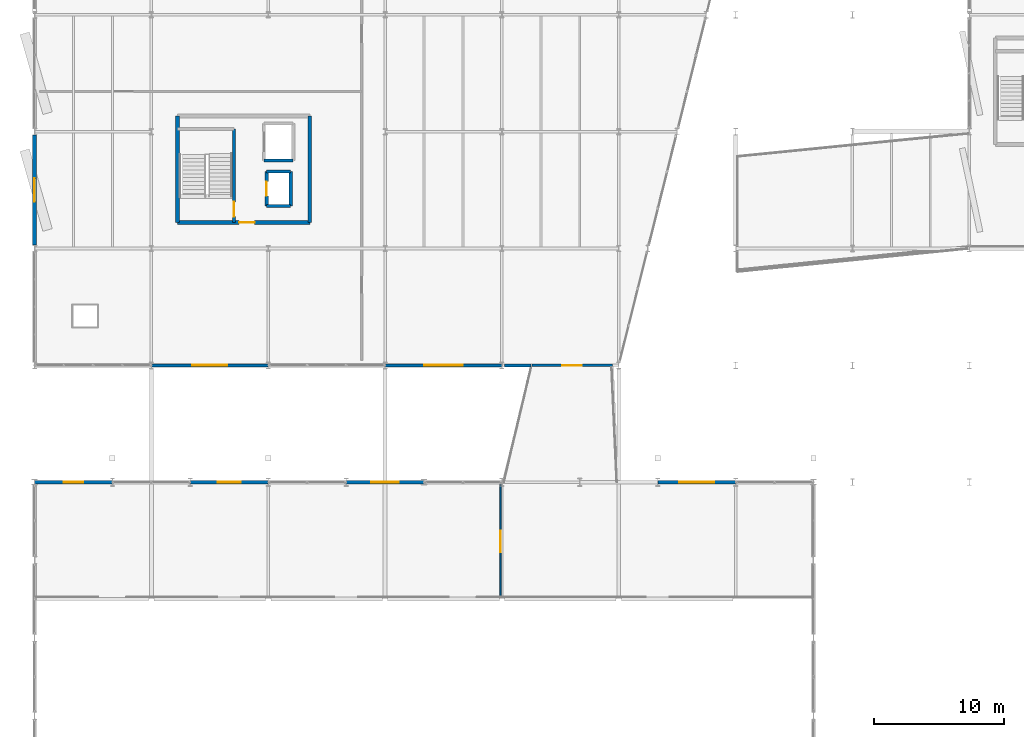
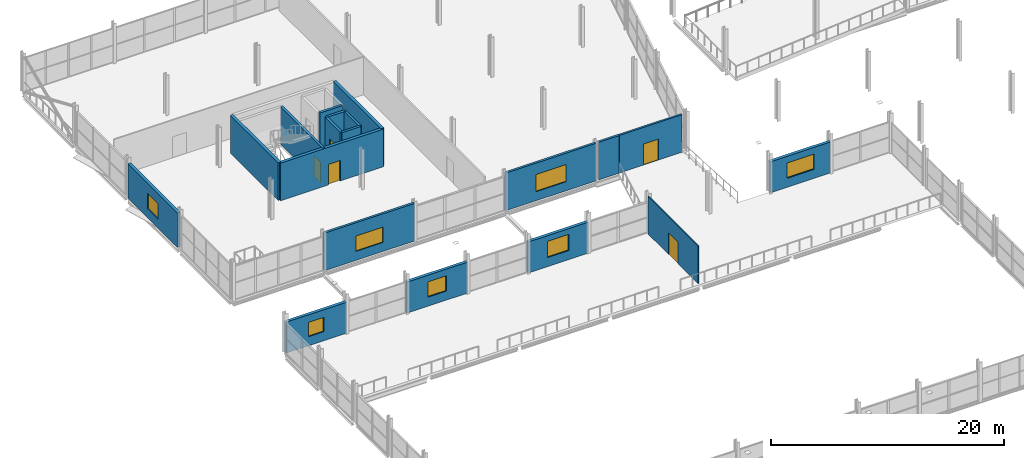
# One storey, part 112 of 135: 19 walls, 7 windows, 5 doors, 12 openings.
"""IFC4 building model written with IfcOpenShell, lengths in metres."""

from ifc_helpers import new_model, si_unit, direction, frame, frame_2d, origin, place, context, subcontext, project, spatial, rectangle, extrude, material, layer, layer_set, type_object, element, fill, save


model = new_model("IFC4")

# Units and contexts
model_context = context("Model", 3, precision=1e-05, world=origin(), true_north=direction((0.0, 1.0)))
body_context = subcontext(model_context, "Body", "Model", "MODEL_VIEW")
ifc_project = project(units=[si_unit("LENGTHUNIT", "METRE"), si_unit("AREAUNIT", "SQUARE_METRE"), si_unit("VOLUMEUNIT", "CUBIC_METRE"), si_unit("PLANEANGLEUNIT", "RADIAN"), si_unit("MASSUNIT", "GRAM", prefix="KILO")], contexts=[model_context])

# Site, building, storey
site_placement = place(None, origin())
site = spatial("IfcSite", under=ifc_project, at=site_placement, CompositionType="ELEMENT")
building_placement = place(site_placement, origin())
building = spatial("IfcBuilding", under=site, at=building_placement, Name="Deido Ridge Mobility Hub", CompositionType="ELEMENT")
storey_placement = place(building_placement, frame((0.0, 0.0, 4.199951171875)))
storey = spatial("IfcBuildingStorey", under=building, at=storey_placement, Name="L01", CompositionType="ELEMENT", Elevation=4.199951171875)

# Wall, opening, window
ifc_material_1 = material(Name="Powder-coated aluminium cladding EN AW-3003", Category="aluminium")
ifc_layer_1 = layer(ifc_material_1, 0.22509765625, Name="Powder-coated aluminium cladding EN AW-3003")
ifc_layer_set_1 = layer_set([ifc_layer_1], Name="Powder-coated aluminium cladding EN AW-3003")
wall_type_1 = type_object("IfcWallType", Name="WL-EXT-ALU-225", PredefinedType="STANDARD", material=ifc_layer_set_1)
wall_1_placement = place(storey_placement, frame((9.00732421875, 45.0, 0.0), z_axis=(0.0, 0.0, 1.0), x_axis=(1.0, 0.0, 0.0)))
wall_1 = element("IfcWall", 1, at=wall_1_placement, inside=storey, type_object=wall_type_1, Name="Exterior wall EW6", PredefinedType="STANDARD", context=body_context, shape_type="SweptSolid", body=[
    extrude(rectangle(XDim=8.985595703125, YDim=0.22509765625, at=frame_2d((4.49267578125, 0.0))), origin(), (0.0, 0.0, 1.0), 3.945068359375),
])
opening_1_placement = place(wall_1_placement, frame((3.142578125, 0.0, 0.949951171875)))
opening_1 = element("IfcOpeningElement", 2, at=opening_1_placement, cuts=wall_1, Name="Opening W13", PredefinedType="OPENING", context=body_context, shape_type="SweptSolid", body=[
    extrude(rectangle(XDim=2.699951171875, YDim=1.60009765625, at=frame_2d((1.35009765625, 0.800048828125))), frame((0.0, 0.12255859375, 0.0), z_axis=(0.0, -1.0, 0.0), x_axis=(1.0, 0.0, 0.0)), (0.0, 0.0, 1.0), 0.2451171875),
])
ifc_material_2 = material(Name="Laminated solar-control low-E glass", Category="glass")
window_type_1 = type_object("IfcWindowType", Name="WN-ALU-2700X1600", PartitioningType="DOUBLE_PANEL_VERTICAL", PredefinedType="WINDOW", material=ifc_material_2)
window_1_placement = place(opening_1_placement, origin())
window_1 = element("IfcWindow", 3, at=window_1_placement, inside=storey, type_object=window_type_1, Name="Exterior window W13", OverallHeight=1.60009765625, OverallWidth=2.699951171875, PartitioningType="SINGLE_PANEL", PredefinedType="WINDOW", context=body_context, shape_type="SweptSolid", body=[
    extrude(rectangle(XDim=2.699951171875, YDim=1.60009765625, at=frame_2d((1.35009765625, 0.800048828125))), frame((0.0, 0.030029296875, 0.0), z_axis=(0.0, -1.0, 0.0), x_axis=(1.0, 0.0, 0.0)), (0.0, 0.0, 1.0), 0.06005859375),
])
fill(opening_1, window_1)

wall_2_placement = place(storey_placement, frame((27.007080078125, 45.0, 0.0), z_axis=(0.0, 0.0, 1.0), x_axis=(1.0, 0.0, 0.0)))
wall_2 = element("IfcWall", 4, at=wall_2_placement, inside=storey, type_object=wall_type_1, Name="Exterior wall EW6", PredefinedType="STANDARD", context=body_context, shape_type="SweptSolid", body=[
    extrude(rectangle(XDim=8.98583984375, YDim=0.22509765625, at=frame_2d((4.492919921875, 0.0))), origin(), (0.0, 0.0, 1.0), 3.945068359375),
])
opening_2_placement = place(wall_2_placement, frame((2.992919921875, 0.0, 0.949951171875)))
opening_2 = element("IfcOpeningElement", 5, at=opening_2_placement, cuts=wall_2, Name="Opening W15", PredefinedType="OPENING", context=body_context, shape_type="SweptSolid", body=[
    extrude(rectangle(XDim=3.0, YDim=1.800048828125, at=frame_2d((1.5, 0.89990234375))), frame((0.0, 0.12255859375, 0.0), z_axis=(0.0, -1.0, 0.0), x_axis=(1.0, 0.0, 0.0)), (0.0, 0.0, 1.0), 0.2451171875),
])
window_type_2 = type_object("IfcWindowType", Name="WN-ALU-3000X1800", PartitioningType="DOUBLE_PANEL_VERTICAL", PredefinedType="WINDOW", material=ifc_material_2)
window_2_placement = place(opening_2_placement, origin())
window_2 = element("IfcWindow", 6, at=window_2_placement, inside=storey, type_object=window_type_2, Name="Exterior window W15", OverallHeight=1.800048828125, OverallWidth=3.0, PartitioningType="SINGLE_PANEL", PredefinedType="WINDOW", context=body_context, shape_type="SweptSolid", body=[
    extrude(rectangle(XDim=3.0, YDim=1.800048828125, at=frame_2d((1.5, 0.89990234375))), frame((0.0, 0.030029296875, 0.0), z_axis=(0.0, -1.0, 0.0), x_axis=(1.0, 0.0, 0.0)), (0.0, 0.0, 1.0), 0.06005859375),
])
fill(opening_2, window_2)

# Wall
wall_3_placement = place(storey_placement, frame((36.199951171875, 45.0, 0.0), z_axis=(0.0, 0.0, 1.0), x_axis=(1.0, 0.0, 0.0)))
element("IfcWall", 7, at=wall_3_placement, inside=storey, type_object=wall_type_1, Name="Cafe bridge west cheek wall", PredefinedType="STANDARD", context=body_context, shape_type="SweptSolid", body=[
    extrude(rectangle(XDim=2.050048828125, YDim=0.22509765625, at=frame_2d((1.02490234375, 0.0))), origin(), (0.0, 0.0, 1.0), 3.945068359375),
])

# Wall, opening, window
ifc_material_3 = material(Name="Fired clay brick masonry", Category="masonry")
ifc_layer_2 = layer(ifc_material_3, 0.294921875, Name="Fired clay brick masonry")
ifc_layer_set_2 = layer_set([ifc_layer_2], Name="Fired clay brick masonry")
wall_type_2 = type_object("IfcWallType", Name="WL-EXT-BRK-295", PredefinedType="STANDARD", material=ifc_layer_set_2)
wall_4_placement = place(storey_placement, frame((0.011962890625, 36.0, 0.0), z_axis=(0.0, 0.0, 1.0), x_axis=(1.0, 0.0, 0.0)))
wall_4 = element("IfcWall", 8, at=wall_4_placement, inside=storey, type_object=wall_type_2, Name="Exterior wall EW2", PredefinedType="STANDARD", context=body_context, shape_type="SweptSolid", body=[
    extrude(rectangle(XDim=5.980224609375, YDim=0.294921875, at=frame_2d((2.990234375, 0.0))), origin(), (0.0, 0.0, 1.0), 3.25),
])
opening_3_placement = place(wall_4_placement, frame((2.240234375, 0.0, 0.949951171875)))
opening_3 = element("IfcOpeningElement", 9, at=opening_3_placement, cuts=wall_4, Name="Opening W5", PredefinedType="OPENING", context=body_context, shape_type="SweptSolid", body=[
    extrude(rectangle(XDim=1.5, YDim=1.5, at=frame_2d((0.75, 0.75))), frame((0.0, 0.157470703125, 0.0), z_axis=(0.0, -1.0, 0.0), x_axis=(1.0, 0.0, 0.0)), (0.0, 0.0, 1.0), 0.31494140625),
])
window_type_3 = type_object("IfcWindowType", Name="WN-ALU-1500X1500", PartitioningType="SINGLE_PANEL", PredefinedType="WINDOW", material=ifc_material_2)
window_3_placement = place(opening_3_placement, origin())
window_3 = element("IfcWindow", 10, at=window_3_placement, inside=storey, type_object=window_type_3, Name="Exterior window W5", OverallHeight=1.5, OverallWidth=1.5, PartitioningType="SINGLE_PANEL", PredefinedType="WINDOW", context=body_context, shape_type="SweptSolid", body=[
    extrude(rectangle(XDim=1.5, YDim=1.5, at=frame_2d((0.75, 0.75))), frame((0.0, 0.030029296875, 0.0), z_axis=(0.0, -1.0, 0.0), x_axis=(1.0, 0.0, 0.0)), (0.0, 0.0, 1.0), 0.06005859375),
])
fill(opening_3, window_3)

wall_5_placement = place(storey_placement, frame((12.0078125, 36.0, 0.0), z_axis=(0.0, 0.0, 1.0), x_axis=(1.0, 0.0, 0.0)))
wall_5 = element("IfcWall", 11, at=wall_5_placement, inside=storey, type_object=wall_type_2, Name="Exterior wall EW2", PredefinedType="STANDARD", context=body_context, shape_type="SweptSolid", body=[
    extrude(rectangle(XDim=5.984375, YDim=0.294921875, at=frame_2d((2.9921875, 0.0))), origin(), (0.0, 0.0, 1.0), 3.25),
])
opening_4_placement = place(wall_5_placement, frame((2.09228515625, 0.0, 0.949951171875)))
opening_4 = element("IfcOpeningElement", 12, at=opening_4_placement, cuts=wall_5, Name="Opening W7", PredefinedType="OPENING", context=body_context, shape_type="SweptSolid", body=[
    extrude(rectangle(XDim=1.800048828125, YDim=1.60009765625, at=frame_2d((0.89990234375, 0.800048828125))), frame((0.0, 0.157470703125, 0.0), z_axis=(0.0, -1.0, 0.0), x_axis=(1.0, 0.0, 0.0)), (0.0, 0.0, 1.0), 0.31494140625),
])
window_type_4 = type_object("IfcWindowType", Name="WN-ALU-1800X1600", PartitioningType="DOUBLE_PANEL_VERTICAL", PredefinedType="WINDOW", material=ifc_material_2)
window_4_placement = place(opening_4_placement, origin())
window_4 = element("IfcWindow", 13, at=window_4_placement, inside=storey, type_object=window_type_4, Name="Exterior window W7", OverallHeight=1.60009765625, OverallWidth=1.800048828125, PartitioningType="SINGLE_PANEL", PredefinedType="WINDOW", context=body_context, shape_type="SweptSolid", body=[
    extrude(rectangle(XDim=1.800048828125, YDim=1.60009765625, at=frame_2d((0.89990234375, 0.800048828125))), frame((0.0, 0.030029296875, 0.0), z_axis=(0.0, -1.0, 0.0), x_axis=(1.0, 0.0, 0.0)), (0.0, 0.0, 1.0), 0.06005859375),
])
fill(opening_4, window_4)

wall_6_placement = place(storey_placement, frame((24.0078125, 36.0, 0.0), z_axis=(0.0, 0.0, 1.0), x_axis=(1.0, 0.0, 0.0)))
wall_6 = element("IfcWall", 14, at=wall_6_placement, inside=storey, type_object=wall_type_2, Name="Exterior wall EW2", PredefinedType="STANDARD", context=body_context, shape_type="SweptSolid", body=[
    extrude(rectangle(XDim=5.980224609375, YDim=0.294921875, at=frame_2d((2.990234375, 0.0))), origin(), (0.0, 0.0, 1.0), 3.25),
])
opening_5_placement = place(wall_6_placement, frame((1.940185546875, 0.0, 0.949951171875)))
opening_5 = element("IfcOpeningElement", 15, at=opening_5_placement, cuts=wall_6, Name="Opening W9", PredefinedType="OPENING", context=body_context, shape_type="SweptSolid", body=[
    extrude(rectangle(XDim=2.10009765625, YDim=1.699951171875, at=frame_2d((1.050048828125, 0.85009765625))), frame((0.0, 0.157470703125, 0.0), z_axis=(0.0, -1.0, 0.0), x_axis=(1.0, 0.0, 0.0)), (0.0, 0.0, 1.0), 0.31494140625),
])
window_type_5 = type_object("IfcWindowType", Name="WN-ALU-2100X1700", PartitioningType="DOUBLE_PANEL_VERTICAL", PredefinedType="WINDOW", material=ifc_material_2)
window_5_placement = place(opening_5_placement, origin())
window_5 = element("IfcWindow", 16, at=window_5_placement, inside=storey, type_object=window_type_5, Name="Exterior window W9", OverallHeight=1.699951171875, OverallWidth=2.10009765625, PartitioningType="SINGLE_PANEL", PredefinedType="WINDOW", context=body_context, shape_type="SweptSolid", body=[
    extrude(rectangle(XDim=2.10009765625, YDim=1.699951171875, at=frame_2d((1.050048828125, 0.85009765625))), frame((0.0, 0.030029296875, 0.0), z_axis=(0.0, -1.0, 0.0), x_axis=(1.0, 0.0, 0.0)), (0.0, 0.0, 1.0), 0.06005859375),
])
fill(opening_5, window_5)

wall_7_placement = place(storey_placement, frame((48.0078125, 36.0, 0.0), z_axis=(0.0, 0.0, 1.0), x_axis=(1.0, 0.0, 0.0)))
wall_7 = element("IfcWall", 17, at=wall_7_placement, inside=storey, type_object=wall_type_2, Name="Exterior wall EW2", PredefinedType="STANDARD", context=body_context, shape_type="SweptSolid", body=[
    extrude(rectangle(XDim=5.984375, YDim=0.294921875, at=frame_2d((2.9921875, 0.0))), origin(), (0.0, 0.0, 1.0), 3.25),
])
opening_6_placement = place(wall_7_placement, frame((1.64208984375, 0.0, 0.949951171875)))
opening_6 = element("IfcOpeningElement", 18, at=opening_6_placement, cuts=wall_7, Name="Opening W13", PredefinedType="OPENING", context=body_context, shape_type="SweptSolid", body=[
    extrude(rectangle(XDim=2.699951171875, YDim=1.60009765625, at=frame_2d((1.35009765625, 0.800048828125))), frame((0.0, 0.157470703125, 0.0), z_axis=(0.0, -1.0, 0.0), x_axis=(1.0, 0.0, 0.0)), (0.0, 0.0, 1.0), 0.31494140625),
])
window_6_placement = place(opening_6_placement, origin())
window_6 = element("IfcWindow", 19, at=window_6_placement, inside=storey, type_object=window_type_1, Name="Exterior window W13", OverallHeight=1.60009765625, OverallWidth=2.699951171875, PartitioningType="SINGLE_PANEL", PredefinedType="WINDOW", context=body_context, shape_type="SweptSolid", body=[
    extrude(rectangle(XDim=2.699951171875, YDim=1.60009765625, at=frame_2d((1.35009765625, 0.800048828125))), frame((0.0, 0.030029296875, 0.0), z_axis=(0.0, -1.0, 0.0), x_axis=(1.0, 0.0, 0.0)), (0.0, 0.0, 1.0), 0.06005859375),
])
fill(opening_6, window_6)

wall_8_placement = place(storey_placement, frame((0.0, 54.25, 0.0), z_axis=(0.0, 0.0, 1.0), x_axis=(0.0, 1.0, 0.0)))
wall_8 = element("IfcWall", 20, at=wall_8_placement, inside=storey, type_object=wall_type_2, Name="Exterior wall EW2", PredefinedType="STANDARD", context=body_context, shape_type="SweptSolid", body=[
    extrude(rectangle(XDim=8.5, YDim=0.294921875, at=frame_2d((4.25, 0.0))), origin(), (0.0, 0.0, 1.0), 3.6201171875),
])
opening_7_placement = place(wall_8_placement, frame((3.35009765625, 0.0, 0.949951171875)))
opening_7 = element("IfcOpeningElement", 21, at=opening_7_placement, cuts=wall_8, Name="Opening W7", PredefinedType="OPENING", context=body_context, shape_type="SweptSolid", body=[
    extrude(rectangle(XDim=1.800048828125, YDim=1.60009765625, at=frame_2d((0.89990234375, 0.800048828125))), frame((0.0, 0.157470703125, 0.0), z_axis=(0.0, -1.0, 0.0), x_axis=(1.0, 0.0, 0.0)), (0.0, 0.0, 1.0), 0.31494140625),
])
window_7_placement = place(opening_7_placement, origin())
window_7 = element("IfcWindow", 22, at=window_7_placement, inside=storey, type_object=window_type_4, Name="Exterior window W7", OverallHeight=1.60009765625, OverallWidth=1.800048828125, PartitioningType="SINGLE_PANEL", PredefinedType="WINDOW", context=body_context, shape_type="SweptSolid", body=[
    extrude(rectangle(XDim=1.800048828125, YDim=1.60009765625, at=frame_2d((0.89990234375, 0.800048828125))), frame((0.0, 0.030029296875, 0.0), z_axis=(0.0, -1.0, 0.0), x_axis=(1.0, 0.0, 0.0)), (0.0, 0.0, 1.0), 0.06005859375),
])
fill(opening_7, window_7)

# Wall, opening, door
ifc_material_4 = material(Name="Treated tropical hardwood timber D40", Category="wood")
ifc_layer_3 = layer(ifc_material_4, 0.114990234375, Name="Treated tropical hardwood timber D40")
ifc_layer_set_3 = layer_set([ifc_layer_3], Name="Treated tropical hardwood timber D40")
wall_type_3 = type_object("IfcWallType", Name="WL-MOV-ACO-115", PredefinedType="MOVABLE", material=ifc_layer_set_3)
wall_9_placement = place(storey_placement, frame((35.89990234375, 27.199951171875, 0.0), z_axis=(0.0, 0.0, 1.0), x_axis=(0.0, 1.0, 0.0)))
wall_9 = element("IfcWall", 23, at=wall_9_placement, inside=storey, type_object=wall_type_3, Name="L01 mezzanine lounge-cafe glazed partition", PredefinedType="MOVABLE", context=body_context, shape_type="SweptSolid", body=[
    extrude(rectangle(XDim=8.60009765625, YDim=0.114990234375, at=frame_2d((4.300048828125, 0.0))), origin(), (0.0, 0.0, 1.0), 3.945068359375),
])
opening_8_placement = place(wall_9_placement, frame((3.39990234375, 0.0, 0.0)))
opening_8 = element("IfcOpeningElement", 24, at=opening_8_placement, cuts=wall_9, Name="Opening DR-L01-215", PredefinedType="OPENING", context=body_context, shape_type="SweptSolid", body=[
    extrude(rectangle(XDim=1.64990234375, YDim=2.25, at=frame_2d((0.824951171875, 1.125))), frame((0.0, 0.0673828125, 0.0), z_axis=(0.0, -1.0, 0.0), x_axis=(1.0, 0.0, 0.0)), (0.0, 0.0, 1.0), 0.135009765625),
])
door_type_1 = type_object("IfcDoorType", Name="DR-INT-1650X2250", OperationType="DOUBLE_DOOR_SINGLE_SWING", PredefinedType="DOOR", material=ifc_material_4)
door_1_placement = place(opening_8_placement, origin())
door_1 = element("IfcDoor", 25, at=door_1_placement, inside=storey, type_object=door_type_1, Name="DR-I0215 L01 mezzanine lounge-cafe double door", OperationType="DOUBLE_DOOR_SINGLE_SWING", OverallHeight=2.25, OverallWidth=1.64990234375, PredefinedType="DOOR", context=body_context, shape_type="SweptSolid", body=[
    extrude(rectangle(XDim=1.64990234375, YDim=2.25, at=frame_2d((0.824951171875, 1.125))), frame((0.0, 0.02490234375, 0.0), z_axis=(0.0, -1.0, 0.0), x_axis=(1.0, 0.0, 0.0)), (0.0, 0.0, 1.0), 0.050048828125),
])
fill(opening_8, door_1)

ifc_material_5 = material(Name="Concrete blockwork masonry", Category="masonry")
ifc_layer_4 = layer(ifc_material_5, 0.18994140625, Name="Concrete blockwork masonry")
ifc_layer_set_4 = layer_set([ifc_layer_4], Name="Concrete blockwork masonry")
wall_type_4 = type_object("IfcWallType", Name="WL-PRT-FIR-190", PredefinedType="PARTITIONING", material=ifc_layer_set_4)
wall_10_placement = place(storey_placement, frame((38.300048828125, 45.0, 0.0), z_axis=(0.0, 0.0, 1.0), x_axis=(1.0, 0.0, 0.0)))
wall_10 = element("IfcWall", 26, at=wall_10_placement, inside=storey, type_object=wall_type_4, Name="L01 commuter cafe-bicycle hall bridge partition", PredefinedType="PARTITIONING", context=body_context, shape_type="SweptSolid", body=[
    extrude(rectangle(XDim=6.199951171875, YDim=0.18994140625, at=frame_2d((3.10009765625, 0.0))), origin(), (0.0, 0.0, 1.0), 3.945068359375),
])
opening_9_placement = place(wall_10_placement, frame((2.35009765625, 0.0, 0.0)))
opening_9 = element("IfcOpeningElement", 27, at=opening_9_placement, cuts=wall_10, Name="Opening DR-L01-216", PredefinedType="OPENING", context=body_context, shape_type="SweptSolid", body=[
    extrude(rectangle(XDim=1.5, YDim=2.199951171875, at=frame_2d((0.75, 1.10009765625))), frame((0.0, 0.10498046875, 0.0), z_axis=(0.0, -1.0, 0.0), x_axis=(1.0, 0.0, 0.0)), (0.0, 0.0, 1.0), 0.2099609375),
])
ifc_material_6 = material(Name="Galvanised steel work", Category="steel")
door_type_2 = type_object("IfcDoorType", Name="DR-FD60-1500X2200", OperationType="DOUBLE_DOOR_SINGLE_SWING", PredefinedType="DOOR", material=ifc_material_6)
door_2_placement = place(opening_9_placement, origin())
door_2 = element("IfcDoor", 28, at=door_2_placement, inside=storey, type_object=door_type_2, Name="DR-I0216 L01 commuter cafe-bicycle hall fire door", OperationType="DOUBLE_DOOR_SINGLE_SWING", OverallHeight=2.199951171875, OverallWidth=1.5, PredefinedType="DOOR", context=body_context, shape_type="SweptSolid", body=[
    extrude(rectangle(XDim=1.5, YDim=2.199951171875, at=frame_2d((0.75, 1.10009765625))), frame((0.0, 0.02490234375, 0.0), z_axis=(0.0, -1.0, 0.0), x_axis=(1.0, 0.0, 0.0)), (0.0, 0.0, 1.0), 0.050048828125),
])
fill(opening_9, door_2)

ifc_material_7 = material(Name="Concrete C40/50", Category="concrete")
ifc_layer_5 = layer(ifc_material_7, 0.25, Name="Concrete C40/50")
ifc_layer_set_5 = layer_set([ifc_layer_5], Name="Concrete C40/50")
wall_type_5 = type_object("IfcWallType", Name="WL-SHR-RC-250", PredefinedType="SHEAR", material=ifc_layer_set_5)
wall_11_placement = place(storey_placement, frame((15.360107421875, 56.0, 0.0), z_axis=(0.0, 0.0, 1.0), x_axis=(0.0, 1.0, 0.0)))
wall_11 = element("IfcWall", 29, at=wall_11_placement, inside=storey, type_object=wall_type_5, Name="C6 stair shaft east wall", PredefinedType="SHEAR", context=body_context, shape_type="SweptSolid", body=[
    extrude(rectangle(XDim=7.199951171875, YDim=0.25, at=frame_2d((3.60009765625, 0.0))), origin(), (0.0, 0.0, 1.0), 3.945068359375),
])
opening_10_placement = place(wall_11_placement, frame((0.449951171875, 0.0, 0.0)))
opening_10 = element("IfcOpeningElement", 30, at=opening_10_placement, cuts=wall_11, Name="Opening FD-C6-L01", PredefinedType="OPENING", context=body_context, shape_type="SweptSolid", body=[
    extrude(rectangle(XDim=1.14990234375, YDim=2.14990234375, at=frame_2d((0.574951171875, 1.074951171875))), frame((0.0, 0.135009765625, 0.0), z_axis=(0.0, -1.0, 0.0), x_axis=(1.0, 0.0, 0.0)), (0.0, 0.0, 1.0), 0.27001953125),
])
door_type_3 = type_object("IfcDoorType", Name="DR-FD60-1150X2150", OperationType="NOTDEFINED", PredefinedType="DOOR", material=ifc_material_6)
door_3_placement = place(opening_10_placement, origin())
door_3 = element("IfcDoor", 31, at=door_3_placement, inside=storey, type_object=door_type_3, Name="DR-I0126 C6 protected stair door (L01)", OperationType="SINGLE_SWING_LEFT", OverallHeight=2.14990234375, OverallWidth=1.14990234375, PredefinedType="DOOR", context=body_context, shape_type="SweptSolid", body=[
    extrude(rectangle(XDim=1.14990234375, YDim=2.14990234375, at=frame_2d((0.574951171875, 1.074951171875))), frame((0.0, 0.02490234375, 0.0), z_axis=(0.0, -1.0, 0.0), x_axis=(1.0, 0.0, 0.0)), (0.0, 0.0, 1.0), 0.050048828125),
])
fill(opening_10, door_3)

# Walls
for number, where, z_axis, x_axis, name in (
    (32, (17.875, 57.27490234375, 0.0), (0.0, 0.0, 1.0), (1.0, 0.0, 0.0), "Lift PL4 south shaft wall"),
    (33, (17.875, 59.925048828125, 0.0), (0.0, 0.0, 1.0), (1.0, 0.0, 0.0), "Lift PL4 north shaft wall"),
):
    element("IfcWall", number, at=place(storey_placement, frame(where, z_axis=z_axis, x_axis=x_axis)), inside=storey, type_object=wall_type_5, Name=name, PredefinedType="SHEAR", context=body_context, shape_type="SweptSolid", body=[
        extrude(rectangle(XDim=1.85009765625, YDim=0.25, at=frame_2d((0.925048828125, 0.0))), origin(), (0.0, 0.0, 1.0), 3.945068359375),
    ])
wall_12_placement = place(storey_placement, frame((19.72509765625, 57.27490234375, 0.0), z_axis=(0.0, 0.0, 1.0), x_axis=(0.0, 1.0, 0.0)))
element("IfcWall", 34, at=wall_12_placement, inside=storey, type_object=wall_type_5, Name="Lift PL4 rear shaft wall", PredefinedType="SHEAR", context=body_context, shape_type="SweptSolid", body=[
    extrude(rectangle(XDim=2.650146484375, YDim=0.25, at=frame_2d((1.3251953125, 0.0))), origin(), (0.0, 0.0, 1.0), 3.945068359375),
])

# Wall, opening, door
wall_13_placement = place(storey_placement, frame((17.875, 57.27490234375, 0.0), z_axis=(0.0, 0.0, 1.0), x_axis=(0.0, 1.0, 0.0)))
wall_13 = element("IfcWall", 35, at=wall_13_placement, inside=storey, type_object=wall_type_5, Name="Lift PL4 landing wall", PredefinedType="SHEAR", context=body_context, shape_type="SweptSolid", body=[
    extrude(rectangle(XDim=2.650146484375, YDim=0.25, at=frame_2d((1.3251953125, 0.0))), origin(), (0.0, 0.0, 1.0), 3.945068359375),
])
opening_11_placement = place(wall_13_placement, frame((0.77490234375, 0.0, 0.0)))
opening_11 = element("IfcOpeningElement", 36, at=opening_11_placement, cuts=wall_13, Name="Opening LD-PL4", PredefinedType="OPENING", context=body_context, shape_type="SweptSolid", body=[
    extrude(rectangle(XDim=1.10009765625, YDim=2.14990234375, at=frame_2d((0.550048828125, 1.074951171875))), frame((0.0, 0.135009765625, 0.0), z_axis=(0.0, -1.0, 0.0), x_axis=(1.0, 0.0, 0.0)), (0.0, 0.0, 1.0), 0.27001953125),
])
ifc_material_8 = material(Name="Stainless steel 316", Category="steel")
door_type_4 = type_object("IfcDoorType", Name="DR-LND-PAS-1100X2150", OperationType="DOUBLE_DOOR_SLIDING", PredefinedType="USERDEFINED", material=ifc_material_8)
door_4_placement = place(opening_11_placement, origin())
door_4 = element("IfcDoor", 37, at=door_4_placement, inside=storey, type_object=door_type_4, Name="DR-I0128 Lift PL4 sliding landing door (L01)", ObjectType="LANDING DOOR", OperationType="DOUBLE_DOOR_SLIDING", OverallHeight=2.14990234375, OverallWidth=1.10009765625, PredefinedType="USERDEFINED", context=body_context, shape_type="SweptSolid", body=[
    extrude(rectangle(XDim=1.10009765625, YDim=2.14990234375, at=frame_2d((0.550048828125, 1.074951171875))), frame((0.0, 0.02490234375, 0.0), z_axis=(0.0, -1.0, 0.0), x_axis=(1.0, 0.0, 0.0)), (0.0, 0.0, 1.0), 0.050048828125),
])
fill(opening_11, door_4)

# Wall
wall_14_placement = place(storey_placement, frame((17.675048828125, 60.77490234375, 0.0), z_axis=(0.0, 0.0, 1.0), x_axis=(1.0, 0.0, 0.0)))
element("IfcWall", 38, at=wall_14_placement, inside=storey, type_object=wall_type_5, Name="Lift GL2 south shaft wall", PredefinedType="SHEAR", context=body_context, shape_type="SweptSolid", body=[
    extrude(rectangle(XDim=2.25, YDim=0.25, at=frame_2d((1.125, 0.0))), origin(), (0.0, 0.0, 1.0), 3.945068359375),
])

# Wall, opening, door
ifc_layer_6 = layer(ifc_material_7, 0.300048828125, Name="Concrete C40/50")
ifc_layer_set_6 = layer_set([ifc_layer_6], Name="Concrete C40/50")
wall_type_6 = type_object("IfcWallType", Name="WL-SHR-RC-300", PredefinedType="SHEAR", material=ifc_layer_set_6)
wall_15_placement = place(storey_placement, frame((11.0, 56.0, 0.0), z_axis=(0.0, 0.0, 1.0), x_axis=(1.0, 0.0, 0.0)))
wall_15 = element("IfcWall", 39, at=wall_15_placement, inside=storey, type_object=wall_type_6, Name="C6 south shear wall", PredefinedType="SHEAR", context=body_context, shape_type="SweptSolid", body=[
    extrude(rectangle(XDim=10.199951171875, YDim=0.300048828125, at=frame_2d((5.10009765625, 0.0))), origin(), (0.0, 0.0, 1.0), 3.945068359375),
])
opening_12_placement = place(wall_15_placement, frame((4.75, 0.0, 0.0)))
opening_12 = element("IfcOpeningElement", 40, at=opening_12_placement, cuts=wall_15, Name="Opening LD-C6-127", PredefinedType="OPENING", context=body_context, shape_type="SweptSolid", body=[
    extrude(rectangle(XDim=1.199951171875, YDim=2.14990234375, at=frame_2d((0.60009765625, 1.074951171875))), frame((0.0, 0.16015625, 0.0), z_axis=(0.0, -1.0, 0.0), x_axis=(1.0, 0.0, 0.0)), (0.0, 0.0, 1.0), 0.320068359375),
])
door_type_5 = type_object("IfcDoorType", Name="DR-FD60-1200X2150", OperationType="NOTDEFINED", PredefinedType="DOOR", material=ifc_material_6)
door_5_placement = place(opening_12_placement, origin())
door_5 = element("IfcDoor", 41, at=door_5_placement, inside=storey, type_object=door_type_5, Name="DR-I0127 C6 lift lobby door (L01)", OperationType="SINGLE_SWING_RIGHT", OverallHeight=2.14990234375, OverallWidth=1.199951171875, PredefinedType="DOOR", context=body_context, shape_type="SweptSolid", body=[
    extrude(rectangle(XDim=1.199951171875, YDim=2.14990234375, at=frame_2d((0.60009765625, 1.074951171875))), frame((0.0, 0.02490234375, 0.0), z_axis=(0.0, -1.0, 0.0), x_axis=(1.0, 0.0, 0.0)), (0.0, 0.0, 1.0), 0.050048828125),
])
fill(opening_12, door_5)

# Walls
for number, where, z_axis, x_axis, name in (
    (42, (21.199951171875, 56.0, 0.0), (0.0, 0.0, 1.0), (0.0, 1.0, 0.0), "C6 east shear wall"),
    (43, (11.0, 64.199951171875, 0.0), (0.0, 0.0, 1.0), (0.0, -1.0, 0.0), "C6 west shear wall"),
):
    element("IfcWall", number, at=place(storey_placement, frame(where, z_axis=z_axis, x_axis=x_axis)), inside=storey, type_object=wall_type_6, Name=name, PredefinedType="SHEAR", context=body_context, shape_type="SweptSolid", body=[
        extrude(rectangle(XDim=8.199951171875, YDim=0.300048828125, at=frame_2d((4.10009765625, 0.0))), origin(), (0.0, 0.0, 1.0), 3.945068359375),
    ])

save(model, "model.ifc")
